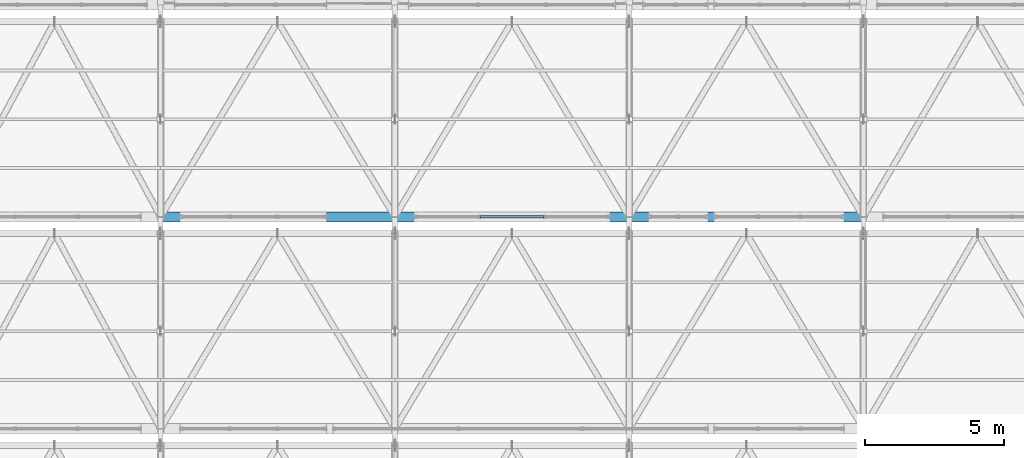
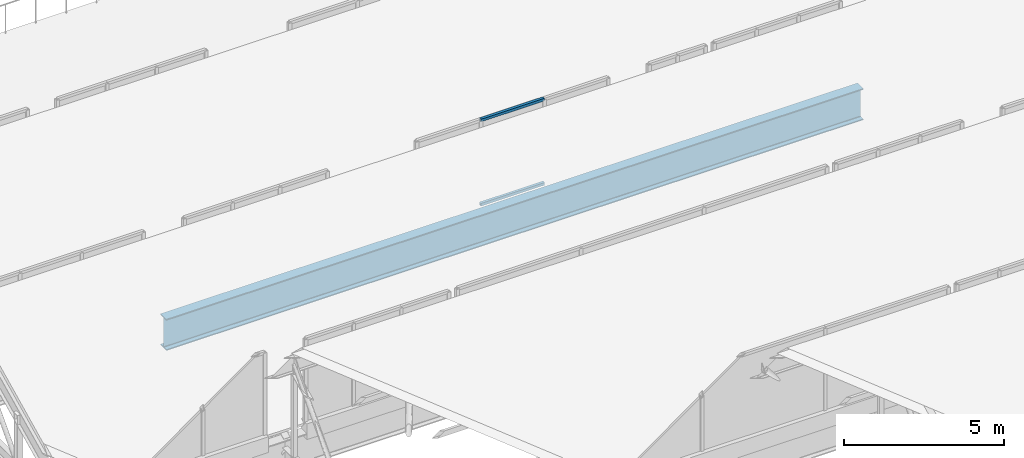
# One storey, part 31 of 57: 2 members, 1 beam, 1 element without a shape of its own.
"""IFC4 building model written with IfcOpenShell, lengths in metres."""

from ifc_helpers import new_model, si_unit, direction, frame, origin, origin_2d, place, context, subcontext, project, spatial, hollow_rectangle, i_section, extrude, material, material_profile, profile_set, type_object, element, aggregate, save


model = new_model("IFC4")

# Units and contexts
model_context = context("Model", 3, precision=1e-05, world=origin(), true_north=direction((0.0, 1.0)))
body_context = subcontext(model_context, "Body", "Model", "MODEL_VIEW")
ifc_project = project(units=[si_unit("LENGTHUNIT", "METRE"), si_unit("AREAUNIT", "SQUARE_METRE"), si_unit("VOLUMEUNIT", "CUBIC_METRE"), si_unit("PLANEANGLEUNIT", "RADIAN"), si_unit("MASSUNIT", "GRAM", prefix="KILO")], contexts=[model_context])

# Site, building, storey
site_placement = place(None, origin())
site = spatial("IfcSite", under=ifc_project, at=site_placement, CompositionType="ELEMENT")
building_placement = place(site_placement, origin())
building = spatial("IfcBuilding", under=site, at=building_placement, Name="Zuvorla Pavilion Media Centre", CompositionType="ELEMENT")
storey_placement = place(building_placement, frame((0.0, 0.0, 18.0)))
storey = spatial("IfcBuildingStorey", under=building, at=storey_placement, Name="L04", CompositionType="ELEMENT", Elevation=18.0)

# Beam
ifc_material_1 = material(Name="Steel S355", Category="steel")
ifc_material_profile_1 = material_profile(ifc_material_1, i_section(OverallWidth=0.360107421875, OverallDepth=1.199951171875, WebThickness=0.02001953125, FlangeThickness=0.0380859375, FilletRadius=0.02392578125, at=origin_2d()), Name="PG 1200x360x38")
ifc_profile_set_1 = profile_set([ifc_material_profile_1], Name="Steel S355")
beam_type = type_object("IfcBeamType", Name="BM-PG1200", PredefinedType="BEAM", material=ifc_profile_set_1)
beam_placement = place(storey_placement, frame((125.60009765625, 36.39990234375, -0.887939453125), z_axis=(1.0, 0.0, 0.0), x_axis=(0.0, 1.0, 0.0)))
element("IfcBeam", 1, at=beam_placement, inside=storey, type_object=beam_type, Name="L04 beam B01 1827", PredefinedType="BEAM", context=body_context, shape_type="SweptSolid", body=[
    extrude(i_section(OverallWidth=0.360107421875, OverallDepth=1.199951171875, WebThickness=0.02001953125, FlangeThickness=0.0380859375, FilletRadius=0.02392578125, at=origin_2d()), origin(), (0.0, 0.0, 1.0), 25.199951171875),
])

# Curtain wall, members
ifc_material_2 = material(Name="Unitised anodised aluminium and solar glass curtain wall", Category="aluminium")
curtain_wall_type = type_object("IfcCurtainWallType", Name="CW-SYS-92", PredefinedType="USERDEFINED", material=ifc_material_2)
curtain_wall_placement = place(storey_placement, origin())
curtain_wall = element("IfcCurtainWall", 2, at=curtain_wall_placement, inside=storey, type_object=curtain_wall_type, Name="L04 curtain wall CW92 242", ObjectType="CURTAIN WALL", PredefinedType="USERDEFINED")
ifc_material_3 = material(Name="Anodised aluminium 6063-T6", Category="aluminium")
ifc_material_profile_2 = material_profile(ifc_material_3, hollow_rectangle(XDim=0.10009765625, YDim=0.10009765625, WallThickness=0.00439453125, at=origin_2d()), Name="ALU TRAN 100x100")
ifc_profile_set_2 = profile_set([ifc_material_profile_2], Name="Anodised aluminium 6063-T6")
member_type = type_object("IfcMemberType", Name="CW-TRAN-100", PredefinedType="USERDEFINED", material=ifc_profile_set_2)
member_1_placement = place(storey_placement, frame((137.048095703125, 36.39990234375, 0.0), z_axis=(1.0, 0.0, 0.0), x_axis=(0.0, 1.0, 0.0)))
member_1 = element("IfcMember", 3, at=member_1_placement, type_object=member_type, Name="CW92 transom 2.1", ObjectType="TRANSOM", PredefinedType="USERDEFINED", context=body_context, shape_type="SweptSolid", body=[
    extrude(hollow_rectangle(XDim=0.10009765625, YDim=0.10009765625, WallThickness=0.00439453125, at=origin_2d()), origin(), (0.0, 0.0, 1.0), 2.3037109375),
])
member_2_placement = place(storey_placement, frame((137.048095703125, 36.39990234375, 3.219970703125), z_axis=(1.0, 0.0, 0.0), x_axis=(0.0, 1.0, 0.0)))
member_2 = element("IfcMember", 4, at=member_2_placement, type_object=member_type, Name="CW92 transom 2.2", ObjectType="TRANSOM", PredefinedType="USERDEFINED", context=body_context, shape_type="SweptSolid", body=[
    extrude(hollow_rectangle(XDim=0.10009765625, YDim=0.10009765625, WallThickness=0.00439453125, at=origin_2d()), origin(), (0.0, 0.0, 1.0), 2.3037109375),
])
aggregate(curtain_wall, [member_1, member_2])

save(model, "model.ifc")
